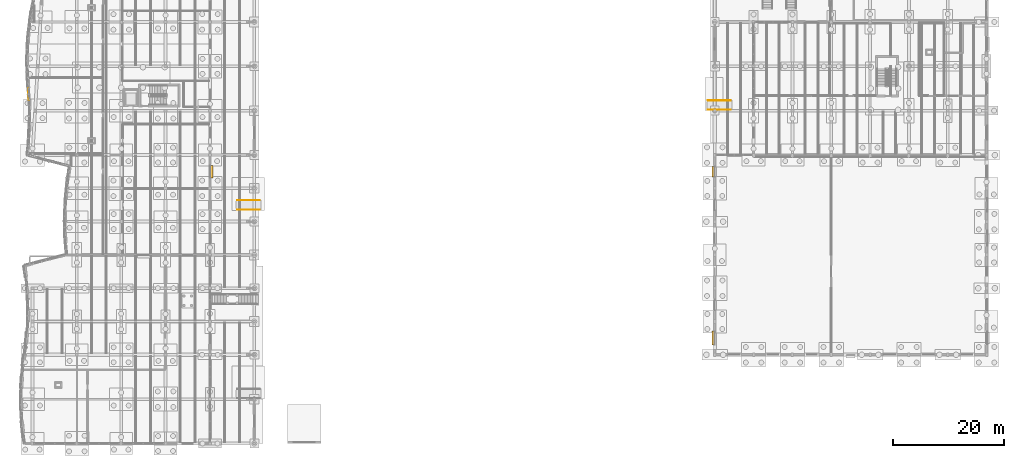
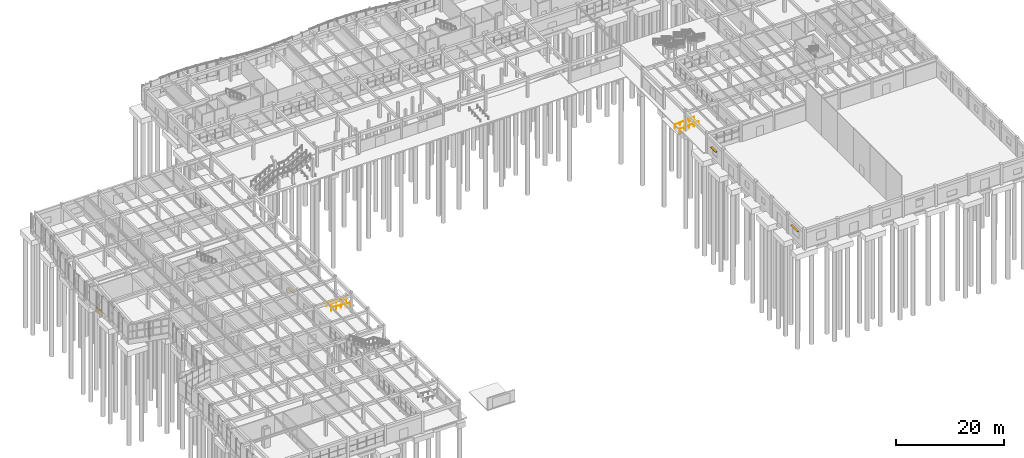
# One storey, part 88 of 99: 4 railings, 3 shading devices, 1 covering.
"""IFC4 building model written with IfcOpenShell, lengths in metres."""

from ifc_helpers import new_model, si_unit, direction, frame, origin, origin_2d, place, context, subcontext, project, spatial, polyline, rectangle, circle, outline, extrude, material, layer, layer_set, type_object, element, save


model = new_model("IFC4")

# Units and contexts
model_context = context("Model", 3, precision=1e-05, world=origin(), true_north=direction((0.0, 1.0)))
body_context = subcontext(model_context, "Body", "Model", "MODEL_VIEW")
ifc_project = project(units=[si_unit("LENGTHUNIT", "METRE"), si_unit("AREAUNIT", "SQUARE_METRE"), si_unit("VOLUMEUNIT", "CUBIC_METRE"), si_unit("PLANEANGLEUNIT", "RADIAN"), si_unit("MASSUNIT", "GRAM", prefix="KILO")], contexts=[model_context])

# Site, building, storey
site_placement = place(None, origin())
site = spatial("IfcSite", under=ifc_project, at=site_placement, CompositionType="ELEMENT")
building_placement = place(site_placement, origin())
building = spatial("IfcBuilding", under=site, at=building_placement, Name="Tonlespit Floodbar School", CompositionType="ELEMENT")
storey_placement = place(building_placement, origin())
storey = spatial("IfcBuildingStorey", under=building, at=storey_placement, Name="L00", CompositionType="ELEMENT", Elevation=0.0)

# Covering
ifc_material_1 = material(Name="White Architectural Aluminium", Category="aluminium")
ifc_layer_1 = layer(ifc_material_1, 0.050048828125)
ifc_layer_set_1 = layer_set([ifc_layer_1], Name="White Architectural Aluminium")
covering_type = type_object("IfcCoveringType", Name="Cladding_WhiteBand_50", PredefinedType="CLADDING", material=ifc_layer_set_1)
covering_placement = place(storey_placement, frame((0.0, 0.0, -0.1201171875)))
element("IfcCovering", 1, at=covering_placement, inside=storey, type_object=covering_type, Name="L00 curved white spandrel cladding 0499", PredefinedType="CLADDING", context=body_context, shape_type="SweptSolid", body=[
    extrude(outline(polyline([(3.422119140625, 65.992431640625), (3.270263671875, 67.992431640625), (3.220458984375, 67.988525390625), (3.372314453125, 65.988525390625), (3.422119140625, 65.992431640625)])), origin(), (0.0, 0.0, 1.0), 1.070068359375),
])

# Railings
ifc_material_2 = material(Name="Galvanised Steel", Category="steel")
railing_type = type_object("IfcRailingType", Name="Handrail_Ext_920", PredefinedType="HANDRAIL", material=ifc_material_2)
for number, where, name in (
    (2, (45.0, 47.85009765625, -0.284912109375), "Ramp RMP-W2 handrail 1"),
    (3, (45.0, 46.14990234375, -0.284912109375), "Ramp RMP-W2 handrail 2"),
):
    element("IfcRailing", number, at=place(storey_placement, frame(where)), inside=storey, type_object=railing_type, Name=name, PredefinedType="HANDRAIL", context=body_context, shape_type="SweptSolid", body=[
        extrude(circle(Radius=0.02392578125, at=origin_2d()), frame((0.0, 0.0, 0.89599609375), z_axis=(-0.997838466011, 0.0, 0.065714501811), x_axis=(0.0, -1.0, 0.0)), (0.0, 0.0, 1.0), 4.10888671875),
        extrude(circle(Radius=0.02099609375, at=origin_2d()), origin(), (0.0, 0.0, 1.0), 0.871826171875),
        extrude(circle(Radius=0.02099609375, at=origin_2d()), frame((-1.02490234375, 0.0, 0.0673828125)), (0.0, 0.0, 1.0), 0.871826171875),
        extrude(circle(Radius=0.02099609375, at=origin_2d()), frame((-2.050048828125, 0.0, 0.135009765625)), (0.0, 0.0, 1.0), 0.871826171875),
        extrude(circle(Radius=0.02099609375, at=origin_2d()), frame((-3.0751953125, 0.0, 0.20263671875)), (0.0, 0.0, 1.0), 0.871826171875),
        extrude(circle(Radius=0.02099609375, at=origin_2d()), frame((-4.10009765625, 0.0, 0.27001953125)), (0.0, 0.0, 1.0), 0.871826171875),
    ])
for number, where, name in (
    (4, (125.800048828125, 64.14990234375, -0.284912109375), "Ramp RMP-E1 handrail 1"),
    (5, (125.800048828125, 65.85009765625, -0.284912109375), "Ramp RMP-E1 handrail 2"),
):
    element("IfcRailing", number, at=place(storey_placement, frame(where)), inside=storey, type_object=railing_type, Name=name, PredefinedType="HANDRAIL", context=body_context, shape_type="SweptSolid", body=[
        extrude(circle(Radius=0.02392578125, at=origin_2d()), frame((0.0, 0.0, 0.89599609375), z_axis=(0.997838209405, 0.0, 0.065718398118), x_axis=(0.0, 1.0, 0.0)), (0.0, 0.0, 1.0), 4.108642578125),
        extrude(circle(Radius=0.02099609375, at=origin_2d()), origin(), (0.0, 0.0, 1.0), 0.871826171875),
        extrude(circle(Radius=0.02099609375, at=origin_2d()), frame((1.02490234375, 0.0, 0.0673828125)), (0.0, 0.0, 1.0), 0.871826171875),
        extrude(circle(Radius=0.02099609375, at=origin_2d()), frame((2.0498046875, 0.0, 0.135009765625)), (0.0, 0.0, 1.0), 0.871826171875),
        extrude(circle(Radius=0.02099609375, at=origin_2d()), frame((3.074951171875, 0.0, 0.20263671875)), (0.0, 0.0, 1.0), 0.871826171875),
        extrude(circle(Radius=0.02099609375, at=origin_2d()), frame((4.099853515625, 0.0, 0.27001953125)), (0.0, 0.0, 1.0), 0.871826171875),
    ])

# Shading devices
ifc_material_3 = material(Name="Anodised Aluminium", Category="aluminium")
ifc_layer_2 = layer(ifc_material_3, 0.080078125)
ifc_layer_set_2 = layer_set([ifc_layer_2], Name="Anodised Aluminium")
shading_device_type = type_object("IfcShadingDeviceType", Name="Shading_MonsoonJalousie_400", PredefinedType="JALOUSIE", material=ifc_layer_set_2)
shading_device_1_placement = place(storey_placement, frame((36.318115234375, 53.0, 2.169921875), z_axis=(0.0, 0.0, 1.0), x_axis=(0.0, -1.0, 0.0)))
element("IfcShadingDevice", 6, at=shading_device_1_placement, inside=storey, type_object=shading_device_type, Name="L00 monsoon jalousie 130", PredefinedType="JALOUSIE", context=body_context, shape_type="SweptSolid", body=[
    extrude(rectangle(XDim=2.300048828125, YDim=0.39990234375, at=origin_2d()), origin(), (0.0, 0.0, 1.0), 0.080078125),
])
shading_device_2_placement = place(storey_placement, frame((126.656982421875, 23.0, 2.77001953125), z_axis=(0.0, 0.0, 1.0), x_axis=(0.0, 1.0, 0.0)))
element("IfcShadingDevice", 7, at=shading_device_2_placement, inside=storey, type_object=shading_device_type, Name="L00 monsoon jalousie 186", PredefinedType="JALOUSIE", context=body_context, shape_type="SweptSolid", body=[
    extrude(rectangle(XDim=2.5, YDim=0.39990234375, at=origin_2d()), origin(), (0.0, 0.0, 1.0), 0.080078125),
])
shading_device_3_placement = place(storey_placement, frame((126.656982421875, 53.0, 2.369873046875), z_axis=(0.0, 0.0, 1.0), x_axis=(0.0, 1.0, 0.0)))
element("IfcShadingDevice", 8, at=shading_device_3_placement, inside=storey, type_object=shading_device_type, Name="L00 monsoon jalousie 187", PredefinedType="JALOUSIE", context=body_context, shape_type="SweptSolid", body=[
    extrude(rectangle(XDim=1.949951171875, YDim=0.39990234375, at=origin_2d()), origin(), (0.0, 0.0, 1.0), 0.080078125),
])

save(model, "model.ifc")
